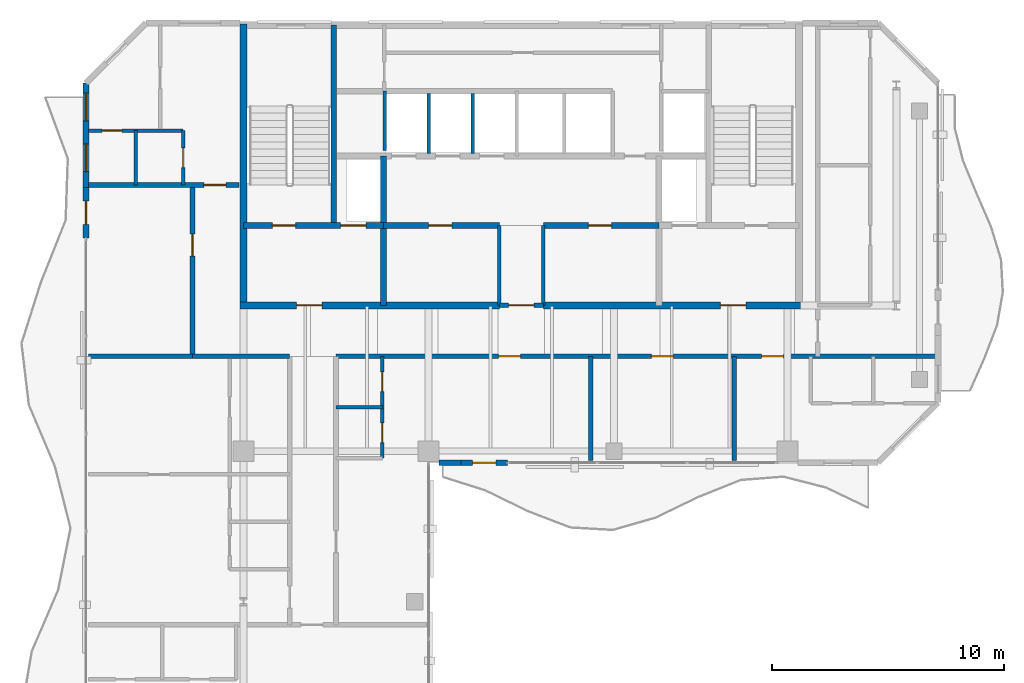
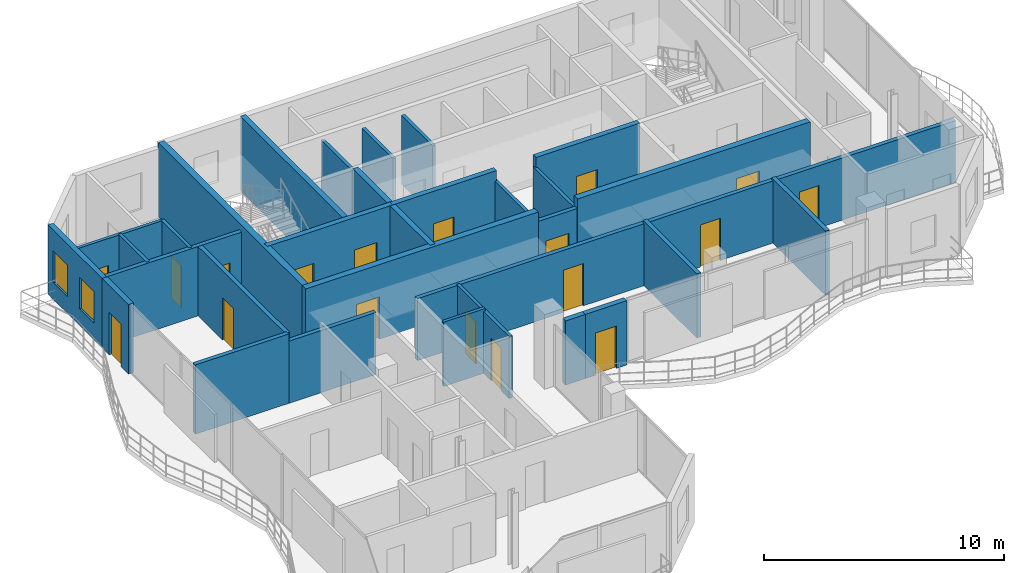
# One storey, part 13 of 17: 30 walls, 18 doors, 2 windows, 20 openings.
"""IFC4 building model written with IfcOpenShell, lengths in metres."""

from ifc_helpers import new_model, si_unit, direction, frame, frame_2d, origin, place, context, subcontext, project, spatial, rectangle, extrude, material, layer, layer_set, type_object, element, fill, save


model = new_model("IFC4")

# Units and contexts
model_context = context("Model", 3, precision=1e-05, world=origin(), true_north=direction((0.0, 1.0)))
body_context = subcontext(model_context, "Body", "Model", "MODEL_VIEW")
ifc_project = project(units=[si_unit("LENGTHUNIT", "METRE"), si_unit("AREAUNIT", "SQUARE_METRE"), si_unit("VOLUMEUNIT", "CUBIC_METRE"), si_unit("PLANEANGLEUNIT", "RADIAN"), si_unit("MASSUNIT", "GRAM", prefix="KILO")], contexts=[model_context])

# Site, building, storey
site_placement = place(None, origin())
site = spatial("IfcSite", under=ifc_project, at=site_placement, CompositionType="ELEMENT")
building_placement = place(site_placement, origin())
building = spatial("IfcBuilding", under=site, at=building_placement, Name="Catumbela Crestline Tower", CompositionType="ELEMENT")
storey_placement = place(building_placement, frame((0.0, 0.0, 267.8)))
storey = spatial("IfcBuildingStorey", under=building, at=storey_placement, Name="L69", CompositionType="ELEMENT", Elevation=267.8)

# Walls
ifc_material_1 = material(Name="Concrete C50/60", Category="concrete")
ifc_layer_1 = layer(ifc_material_1, 0.25, Name="Concrete C50/60")
ifc_layer_set_1 = layer_set([ifc_layer_1], Name="Concrete C50/60")
wall_type_1 = type_object("IfcWallType", Name="CW-250D", PredefinedType="SHEAR", material=ifc_layer_set_1)
wall_1_placement = place(storey_placement, frame((19.9, 34.25, 0.0), z_axis=(0.0, 0.0, 1.0), x_axis=(0.0, 1.0, 0.0)))
element("IfcWall", 1, at=wall_1_placement, inside=storey, type_object=wall_type_1, Name="L69 Structural Core Shear Wall WWEB", PredefinedType="SHEAR", context=body_context, shape_type="SweptSolid", body=[
    extrude(rectangle(XDim=8.65, YDim=0.25, at=frame_2d((4.325, 0.0))), origin(), (0.0, 0.0, 1.0), 3.8),
])
wall_2_placement = place(storey_placement, frame((22.05, 30.8, 0.0), z_axis=(0.0, 0.0, 1.0), x_axis=(0.0, 1.0, 0.0)))
element("IfcWall", 2, at=wall_2_placement, inside=storey, type_object=wall_type_1, Name="L69 Structural Core Shear Wall FFW", PredefinedType="SHEAR", context=body_context, shape_type="SweptSolid", body=[
    extrude(rectangle(XDim=6.45, YDim=0.25, at=frame_2d((3.225, 0.0))), origin(), (0.0, 0.0, 1.0), 3.8),
])

# Wall, openings, doors
wall_3_placement = place(storey_placement, frame((16.0, 34.25, 0.0), z_axis=(0.0, 0.0, 1.0), x_axis=(1.0, 0.0, 0.0)))
wall_3 = element("IfcWall", 3, at=wall_3_placement, inside=storey, type_object=wall_type_1, Name="L69 Structural Core Shear Wall ST1S", PredefinedType="SHEAR", context=body_context, shape_type="SweptSolid", body=[
    extrude(rectangle(XDim=6.05, YDim=0.25, at=frame_2d((3.025, 0.0))), origin(), (0.0, 0.0, 1.0), 3.8),
])
opening_1_placement = place(wall_3_placement, frame((1.25, 0.0, 0.0)))
opening_1 = element("IfcOpeningElement", 4, at=opening_1_placement, cuts=wall_3, Name="Opening DF9-100", PredefinedType="OPENING", context=body_context, shape_type="SweptSolid", body=[
    extrude(rectangle(XDim=1.0, YDim=2.15, at=frame_2d((0.5, 1.075))), frame((0.0, 0.135, 0.0), z_axis=(0.0, -1.0, 0.0), x_axis=(1.0, 0.0, 0.0)), (0.0, 0.0, 1.0), 0.27),
])
opening_2_placement = place(wall_3_placement, frame((4.2, 0.0, 0.0)))
opening_2 = element("IfcOpeningElement", 5, at=opening_2_placement, cuts=wall_3, Name="Opening LD-110", PredefinedType="OPENING", context=body_context, shape_type="SweptSolid", body=[
    extrude(rectangle(XDim=1.1, YDim=2.15, at=frame_2d((0.55, 1.075))), frame((0.0, 0.135, 0.0), z_axis=(0.0, -1.0, 0.0), x_axis=(1.0, 0.0, 0.0)), (0.0, 0.0, 1.0), 0.27),
])
ifc_material_2 = material(Name="Stainless steel EN 1.4401", Category="steel")
door_type_1 = type_object("IfcDoorType", Name="DF9-100", OperationType="NOTDEFINED", PredefinedType="DOOR", material=ifc_material_2)
door_1_placement = place(opening_1_placement, origin())
door_1 = element("IfcDoor", 6, at=door_1_placement, inside=storey, type_object=door_type_1, Name="L69 Interior Door DR-L69-ST01", OperationType="SINGLE_SWING_LEFT", OverallHeight=2.15, OverallWidth=1.0, PredefinedType="DOOR", context=body_context, shape_type="SweptSolid", body=[
    extrude(rectangle(XDim=1.0, YDim=2.15, at=frame_2d((0.5, 1.075))), frame((0.0, 0.025, 0.0), z_axis=(0.0, -1.0, 0.0), x_axis=(1.0, 0.0, 0.0)), (0.0, 0.0, 1.0), 0.05),
])
fill(opening_1, door_1)
door_type_2 = type_object("IfcDoorType", Name="LD-110", OperationType="NOTDEFINED", PredefinedType="DOOR", material=ifc_material_2)
door_2_placement = place(opening_2_placement, origin())
door_2 = element("IfcDoor", 7, at=door_2_placement, inside=storey, type_object=door_type_2, Name="L69 Lift Landing Sliding Door FL-01", OperationType="DOUBLE_DOOR_SLIDING", OverallHeight=2.15, OverallWidth=1.1, PredefinedType="DOOR", context=body_context, shape_type="SweptSolid", body=[
    extrude(rectangle(XDim=1.1, YDim=2.15, at=frame_2d((0.55, 1.075))), frame((0.0, 0.025, 0.0), z_axis=(0.0, -1.0, 0.0), x_axis=(1.0, 0.0, 0.0)), (0.0, 0.0, 1.0), 0.05),
])
fill(opening_2, door_2)

# Wall, opening, door
wall_4_placement = place(storey_placement, frame((22.05, 34.25, 0.0), z_axis=(0.0, 0.0, 1.0), x_axis=(1.0, 0.0, 0.0)))
wall_4 = element("IfcWall", 8, at=wall_4_placement, inside=storey, type_object=wall_type_1, Name="L69 Structural Core Shear Wall LIFTS-W", PredefinedType="SHEAR", context=body_context, shape_type="SweptSolid", body=[
    extrude(rectangle(XDim=5.0, YDim=0.25, at=frame_2d((2.5, 0.0))), origin(), (0.0, 0.0, 1.0), 3.8),
])
opening_3_placement = place(wall_4_placement, frame((1.95, 0.0, 0.0)))
opening_3 = element("IfcOpeningElement", 9, at=opening_3_placement, cuts=wall_4, Name="Opening DF9-100", PredefinedType="OPENING", context=body_context, shape_type="SweptSolid", body=[
    extrude(rectangle(XDim=1.0, YDim=2.15, at=frame_2d((0.5, 1.075))), frame((0.0, 0.135, 0.0), z_axis=(0.0, -1.0, 0.0), x_axis=(1.0, 0.0, 0.0)), (0.0, 0.0, 1.0), 0.27),
])
door_3_placement = place(opening_3_placement, origin())
door_3 = element("IfcDoor", 10, at=door_3_placement, inside=storey, type_object=door_type_1, Name="L69 Interior Door DR-L69-RECL1", OperationType="SINGLE_SWING_LEFT", OverallHeight=2.15, OverallWidth=1.0, PredefinedType="DOOR", context=body_context, shape_type="SweptSolid", body=[
    extrude(rectangle(XDim=1.0, YDim=2.15, at=frame_2d((0.5, 1.075))), frame((0.0, 0.025, 0.0), z_axis=(0.0, -1.0, 0.0), x_axis=(1.0, 0.0, 0.0)), (0.0, 0.0, 1.0), 0.05),
])
fill(opening_3, door_3)

wall_5_placement = place(storey_placement, frame((28.95, 34.25, 0.0), z_axis=(0.0, 0.0, 1.0), x_axis=(1.0, 0.0, 0.0)))
wall_5 = element("IfcWall", 11, at=wall_5_placement, inside=storey, type_object=wall_type_1, Name="L69 Structural Core Shear Wall LIFTS-E", PredefinedType="SHEAR", context=body_context, shape_type="SweptSolid", body=[
    extrude(rectangle(XDim=5.0, YDim=0.25, at=frame_2d((2.5, 0.0))), origin(), (0.0, 0.0, 1.0), 3.8),
])
opening_4_placement = place(wall_5_placement, frame((1.95, 0.0, 0.0)))
opening_4 = element("IfcOpeningElement", 12, at=opening_4_placement, cuts=wall_5, Name="Opening DF9-100", PredefinedType="OPENING", context=body_context, shape_type="SweptSolid", body=[
    extrude(rectangle(XDim=1.0, YDim=2.15, at=frame_2d((0.5, 1.075))), frame((0.0, 0.135, 0.0), z_axis=(0.0, -1.0, 0.0), x_axis=(1.0, 0.0, 0.0)), (0.0, 0.0, 1.0), 0.27),
])
door_4_placement = place(opening_4_placement, origin())
door_4 = element("IfcDoor", 13, at=door_4_placement, inside=storey, type_object=door_type_1, Name="L69 Interior Door DR-L69-RECL2", OperationType="SINGLE_SWING_RIGHT", OverallHeight=2.15, OverallWidth=1.0, PredefinedType="DOOR", context=body_context, shape_type="SweptSolid", body=[
    extrude(rectangle(XDim=1.0, YDim=2.15, at=frame_2d((0.5, 1.075))), frame((0.0, 0.025, 0.0), z_axis=(0.0, -1.0, 0.0), x_axis=(1.0, 0.0, 0.0)), (0.0, 0.0, 1.0), 0.05),
])
fill(opening_4, door_4)

# Wall
ifc_material_3 = material(Name="Concrete C45/55", Category="concrete")
ifc_layer_2 = layer(ifc_material_3, 0.3, Name="Concrete C45/55")
ifc_layer_set_2 = layer_set([ifc_layer_2], Name="Concrete C45/55")
wall_type_2 = type_object("IfcWallType", Name="CW-300C", PredefinedType="SHEAR", material=ifc_layer_set_2)
wall_6_placement = place(storey_placement, frame((16.0, 30.65, 0.0), z_axis=(0.0, 0.0, 1.0), x_axis=(0.0, 1.0, 0.0)))
element("IfcWall", 14, at=wall_6_placement, inside=storey, type_object=wall_type_2, Name="L69 Structural Core Shear Wall W", PredefinedType="SHEAR", context=body_context, shape_type="SweptSolid", body=[
    extrude(rectangle(XDim=12.3, YDim=0.3, at=frame_2d((6.15, 0.0))), origin(), (0.0, 0.0, 1.0), 3.8),
])

# Wall, opening, door
wall_7_placement = place(storey_placement, frame((15.85, 30.8, 0.0), z_axis=(0.0, 0.0, 1.0), x_axis=(1.0, 0.0, 0.0)))
wall_7 = element("IfcWall", 15, at=wall_7_placement, inside=storey, type_object=wall_type_2, Name="L69 Structural Core Shear Wall SW", PredefinedType="SHEAR", context=body_context, shape_type="SweptSolid", body=[
    extrude(rectangle(XDim=11.2, YDim=0.3, at=frame_2d((5.6, 0.0))), origin(), (0.0, 0.0, 1.0), 3.8),
])
opening_5_placement = place(wall_7_placement, frame((2.45, 0.0, 0.0)))
opening_5 = element("IfcOpeningElement", 16, at=opening_5_placement, cuts=wall_7, Name="Opening DF9-110", PredefinedType="OPENING", context=body_context, shape_type="SweptSolid", body=[
    extrude(rectangle(XDim=1.1, YDim=2.15, at=frame_2d((0.55, 1.075))), frame((0.0, 0.16, 0.0), z_axis=(0.0, -1.0, 0.0), x_axis=(1.0, 0.0, 0.0)), (0.0, 0.0, 1.0), 0.32),
])
door_type_3 = type_object("IfcDoorType", Name="DF9-110", OperationType="NOTDEFINED", PredefinedType="DOOR", material=ifc_material_2)
door_5_placement = place(opening_5_placement, origin())
door_5 = element("IfcDoor", 17, at=door_5_placement, inside=storey, type_object=door_type_3, Name="L69 Interior Door DR-L69-FFW-S", OperationType="SINGLE_SWING_LEFT", OverallHeight=2.15, OverallWidth=1.1, PredefinedType="DOOR", context=body_context, shape_type="SweptSolid", body=[
    extrude(rectangle(XDim=1.1, YDim=2.15, at=frame_2d((0.55, 1.075))), frame((0.0, 0.025, 0.0), z_axis=(0.0, -1.0, 0.0), x_axis=(1.0, 0.0, 0.0)), (0.0, 0.0, 1.0), 0.05),
])
fill(opening_5, door_5)

wall_8_placement = place(storey_placement, frame((28.95, 30.8, 0.0), z_axis=(0.0, 0.0, 1.0), x_axis=(1.0, 0.0, 0.0)))
wall_8 = element("IfcWall", 18, at=wall_8_placement, inside=storey, type_object=wall_type_2, Name="L69 Structural Core Shear Wall SE", PredefinedType="SHEAR", context=body_context, shape_type="SweptSolid", body=[
    extrude(rectangle(XDim=11.2, YDim=0.3, at=frame_2d((5.6, 0.0))), origin(), (0.0, 0.0, 1.0), 3.8),
])
opening_6_placement = place(wall_8_placement, frame((7.65, 0.0, 0.0)))
opening_6 = element("IfcOpeningElement", 19, at=opening_6_placement, cuts=wall_8, Name="Opening DF9-110", PredefinedType="OPENING", context=body_context, shape_type="SweptSolid", body=[
    extrude(rectangle(XDim=1.1, YDim=2.15, at=frame_2d((0.55, 1.075))), frame((0.0, 0.16, 0.0), z_axis=(0.0, -1.0, 0.0), x_axis=(1.0, 0.0, 0.0)), (0.0, 0.0, 1.0), 0.32),
])
door_6_placement = place(opening_6_placement, origin())
door_6 = element("IfcDoor", 20, at=door_6_placement, inside=storey, type_object=door_type_3, Name="L69 Interior Door DR-L69-FFE-S", OperationType="SINGLE_SWING_RIGHT", OverallHeight=2.15, OverallWidth=1.1, PredefinedType="DOOR", context=body_context, shape_type="SweptSolid", body=[
    extrude(rectangle(XDim=1.1, YDim=2.15, at=frame_2d((0.55, 1.075))), frame((0.0, 0.025, 0.0), z_axis=(0.0, -1.0, 0.0), x_axis=(1.0, 0.0, 0.0)), (0.0, 0.0, 1.0), 0.05),
])
fill(opening_6, door_6)

ifc_material_4 = material(Name="Acoustic gypsum and mineral-wool partition")
ifc_layer_3 = layer(ifc_material_4, 0.2, Name="Acoustic gypsum and mineral-wool partition")
ifc_layer_set_3 = layer_set([ifc_layer_3], Name="Acoustic gypsum and mineral-wool partition")
wall_type_3 = type_object("IfcWallType", Name="WC-200", PredefinedType="PARTITIONING", material=ifc_layer_set_3)
wall_9_placement = place(storey_placement, frame((27.05, 30.8, 0.0), z_axis=(0.0, 0.0, 1.0), x_axis=(1.0, 0.0, 0.0)))
wall_9 = element("IfcWall", 21, at=wall_9_placement, inside=storey, type_object=wall_type_3, Name="L69 Interior Partition PW-L69-CLOBS", PredefinedType="PARTITIONING", context=body_context, shape_type="SweptSolid", body=[
    extrude(rectangle(XDim=1.9, YDim=0.2, at=frame_2d((0.95, 0.0))), origin(), (0.0, 0.0, 1.0), 3.28),
])
opening_7_placement = place(wall_9_placement, frame((0.4, 0.0, 0.0)))
opening_7 = element("IfcOpeningElement", 22, at=opening_7_placement, cuts=wall_9, Name="Opening DF9-110", PredefinedType="OPENING", context=body_context, shape_type="SweptSolid", body=[
    extrude(rectangle(XDim=1.1, YDim=2.15, at=frame_2d((0.55, 1.075))), frame((0.0, 0.11, 0.0), z_axis=(0.0, -1.0, 0.0), x_axis=(1.0, 0.0, 0.0)), (0.0, 0.0, 1.0), 0.22),
])
door_7_placement = place(opening_7_placement, origin())
door_7 = element("IfcDoor", 23, at=door_7_placement, inside=storey, type_object=door_type_3, Name="L69 Interior Door DR-L69-CLOBS", OperationType="SINGLE_SWING_LEFT", OverallHeight=2.15, OverallWidth=1.1, PredefinedType="DOOR", context=body_context, shape_type="SweptSolid", body=[
    extrude(rectangle(XDim=1.1, YDim=2.15, at=frame_2d((0.55, 1.075))), frame((0.0, 0.025, 0.0), z_axis=(0.0, -1.0, 0.0), x_axis=(1.0, 0.0, 0.0)), (0.0, 0.0, 1.0), 0.05),
])
fill(opening_7, door_7)

# Wall
wall_10_placement = place(storey_placement, frame((13.8, 28.6, 0.0), z_axis=(0.0, 0.0, 1.0), x_axis=(1.0, 0.0, 0.0)))
element("IfcWall", 24, at=wall_10_placement, inside=storey, type_object=wall_type_3, Name="L69 Interior Partition PW-L69-RCWL", PredefinedType="PARTITIONING", context=body_context, shape_type="SweptSolid", body=[
    extrude(rectangle(XDim=4.2, YDim=0.2, at=frame_2d((2.1, 0.0))), origin(), (0.0, 0.0, 1.0), 3.16),
])

# Wall, openings, doors
wall_11_placement = place(storey_placement, frame((20.0, 28.6, 0.0), z_axis=(0.0, 0.0, 1.0), x_axis=(1.0, 0.0, 0.0)))
wall_11 = element("IfcWall", 25, at=wall_11_placement, inside=storey, type_object=wall_type_3, Name="L69 Interior Partition PW-L69-RCWR", PredefinedType="PARTITIONING", context=body_context, shape_type="SweptSolid", body=[
    extrude(rectangle(XDim=25.9, YDim=0.2, at=frame_2d((12.95, 0.0))), origin(), (0.0, 0.0, 1.0), 3.16),
])
opening_8_placement = place(wall_11_placement, frame((7.025, 0.0, 0.0)))
opening_8 = element("IfcOpeningElement", 26, at=opening_8_placement, cuts=wall_11, Name="Opening DF6-095", PredefinedType="OPENING", context=body_context, shape_type="SweptSolid", body=[
    extrude(rectangle(XDim=0.95, YDim=2.15, at=frame_2d((0.475, 1.075))), frame((0.0, 0.11, 0.0), z_axis=(0.0, -1.0, 0.0), x_axis=(1.0, 0.0, 0.0)), (0.0, 0.0, 1.0), 0.22),
])
opening_9_placement = place(wall_11_placement, frame((13.625, 0.0, 0.0)))
opening_9 = element("IfcOpeningElement", 27, at=opening_9_placement, cuts=wall_11, Name="Opening DF6-095", PredefinedType="OPENING", context=body_context, shape_type="SweptSolid", body=[
    extrude(rectangle(XDim=0.95, YDim=2.15, at=frame_2d((0.475, 1.075))), frame((0.0, 0.11, 0.0), z_axis=(0.0, -1.0, 0.0), x_axis=(1.0, 0.0, 0.0)), (0.0, 0.0, 1.0), 0.22),
])
opening_10_placement = place(wall_11_placement, frame((18.378, 0.0, 0.0)))
opening_10 = element("IfcOpeningElement", 28, at=opening_10_placement, cuts=wall_11, Name="Opening DF6-095", PredefinedType="OPENING", context=body_context, shape_type="SweptSolid", body=[
    extrude(rectangle(XDim=0.95, YDim=2.15, at=frame_2d((0.475, 1.075))), frame((0.0, 0.11, 0.0), z_axis=(0.0, -1.0, 0.0), x_axis=(1.0, 0.0, 0.0)), (0.0, 0.0, 1.0), 0.22),
])
ifc_material_5 = material(Name="Aluminium alloy AW-6060-T66", Category="aluminium")
door_type_4 = type_object("IfcDoorType", Name="DF6-095", OperationType="NOTDEFINED", PredefinedType="DOOR", material=ifc_material_5)
door_8_placement = place(opening_8_placement, origin())
door_8 = element("IfcDoor", 29, at=door_8_placement, inside=storey, type_object=door_type_4, Name="L69 Interior Door DR-L69-Z4G41-ENT", OperationType="SINGLE_SWING_LEFT", OverallHeight=2.15, OverallWidth=0.95, PredefinedType="DOOR", context=body_context, shape_type="SweptSolid", body=[
    extrude(rectangle(XDim=0.95, YDim=2.15, at=frame_2d((0.475, 1.075))), frame((0.0, 0.025, 0.0), z_axis=(0.0, -1.0, 0.0), x_axis=(1.0, 0.0, 0.0)), (0.0, 0.0, 1.0), 0.05),
])
fill(opening_8, door_8)
door_9_placement = place(opening_9_placement, origin())
door_9 = element("IfcDoor", 30, at=door_9_placement, inside=storey, type_object=door_type_4, Name="L69 Interior Door DR-L69-Z4G42-ENT", OperationType="SINGLE_SWING_RIGHT", OverallHeight=2.15, OverallWidth=0.95, PredefinedType="DOOR", context=body_context, shape_type="SweptSolid", body=[
    extrude(rectangle(XDim=0.95, YDim=2.15, at=frame_2d((0.475, 1.075))), frame((0.0, 0.025, 0.0), z_axis=(0.0, -1.0, 0.0), x_axis=(1.0, 0.0, 0.0)), (0.0, 0.0, 1.0), 0.05),
])
fill(opening_9, door_9)
door_10_placement = place(opening_10_placement, origin())
door_10 = element("IfcDoor", 31, at=door_10_placement, inside=storey, type_object=door_type_4, Name="L69 Interior Door DR-L69-S3-ENT", OperationType="SINGLE_SWING_LEFT", OverallHeight=2.15, OverallWidth=0.95, PredefinedType="DOOR", context=body_context, shape_type="SweptSolid", body=[
    extrude(rectangle(XDim=0.95, YDim=2.15, at=frame_2d((0.475, 1.075))), frame((0.0, 0.025, 0.0), z_axis=(0.0, -1.0, 0.0), x_axis=(1.0, 0.0, 0.0)), (0.0, 0.0, 1.0), 0.05),
])
fill(opening_10, door_10)

# Wall, opening, door
wall_12_placement = place(storey_placement, frame((13.8, 28.6, 0.0), z_axis=(0.0, 0.0, 1.0), x_axis=(0.0, 1.0, 0.0)))
wall_12 = element("IfcWall", 32, at=wall_12_placement, inside=storey, type_object=wall_type_3, Name="L69 Interior Partition PW-L69-NWAM-ENT", PredefinedType="PARTITIONING", context=body_context, shape_type="SweptSolid", body=[
    extrude(rectangle(XDim=7.4, YDim=0.2, at=frame_2d((3.7, 0.0))), origin(), (0.0, 0.0, 1.0), 3.53),
])
opening_11_placement = place(wall_12_placement, frame((4.325, 0.0, 0.0)))
opening_11 = element("IfcOpeningElement", 33, at=opening_11_placement, cuts=wall_12, Name="Opening DF6-095", PredefinedType="OPENING", context=body_context, shape_type="SweptSolid", body=[
    extrude(rectangle(XDim=0.95, YDim=2.15, at=frame_2d((0.475, 1.075))), frame((0.0, 0.11, 0.0), z_axis=(0.0, -1.0, 0.0), x_axis=(1.0, 0.0, 0.0)), (0.0, 0.0, 1.0), 0.22),
])
door_11_placement = place(opening_11_placement, origin())
door_11 = element("IfcDoor", 34, at=door_11_placement, inside=storey, type_object=door_type_4, Name="L69 Interior Door DR-L69-NWAM-ENT", OperationType="SINGLE_SWING_RIGHT", OverallHeight=2.15, OverallWidth=0.95, PredefinedType="DOOR", context=body_context, shape_type="SweptSolid", body=[
    extrude(rectangle(XDim=0.95, YDim=2.15, at=frame_2d((0.475, 1.075))), frame((0.0, 0.025, 0.0), z_axis=(0.0, -1.0, 0.0), x_axis=(1.0, 0.0, 0.0)), (0.0, 0.0, 1.0), 0.05),
])
fill(opening_11, door_11)

wall_13_placement = place(storey_placement, frame((9.3, 36.0, 0.0), z_axis=(0.0, 0.0, 1.0), x_axis=(1.0, 0.0, 0.0)))
wall_13 = element("IfcWall", 35, at=wall_13_placement, inside=storey, type_object=wall_type_3, Name="L69 Interior Partition PW-L69-NW1-ENT", PredefinedType="PARTITIONING", context=body_context, shape_type="SweptSolid", body=[
    extrude(rectangle(XDim=6.5, YDim=0.2, at=frame_2d((3.25, 0.0))), origin(), (0.0, 0.0, 1.0), 3.53),
])
opening_12_placement = place(wall_13_placement, frame((4.995, 0.0, 0.0)))
opening_12 = element("IfcOpeningElement", 36, at=opening_12_placement, cuts=wall_13, Name="Opening DF6-095", PredefinedType="OPENING", context=body_context, shape_type="SweptSolid", body=[
    extrude(rectangle(XDim=0.95, YDim=2.15, at=frame_2d((0.475, 1.075))), frame((0.0, 0.11, 0.0), z_axis=(0.0, -1.0, 0.0), x_axis=(1.0, 0.0, 0.0)), (0.0, 0.0, 1.0), 0.22),
])
door_12_placement = place(opening_12_placement, origin())
door_12 = element("IfcDoor", 37, at=door_12_placement, inside=storey, type_object=door_type_4, Name="L69 Interior Door DR-L69-NW1-ENT", OperationType="SINGLE_SWING_LEFT", OverallHeight=2.15, OverallWidth=0.95, PredefinedType="DOOR", context=body_context, shape_type="SweptSolid", body=[
    extrude(rectangle(XDim=0.95, YDim=2.15, at=frame_2d((0.475, 1.075))), frame((0.0, 0.025, 0.0), z_axis=(0.0, -1.0, 0.0), x_axis=(1.0, 0.0, 0.0)), (0.0, 0.0, 1.0), 0.05),
])
fill(opening_12, door_12)

ifc_material_6 = material(Name="Angolan grey-ochre granite", Category="masonry")
ifc_layer_4 = layer(ifc_material_6, 0.25, Name="Angolan grey-ochre granite")
ifc_layer_set_4 = layer_set([ifc_layer_4], Name="Angolan grey-ochre granite")
wall_type_4 = type_object("IfcWallType", Name="WE-250", PredefinedType="STANDARD", material=ifc_layer_set_4)
wall_14_placement = place(storey_placement, frame((25.4, 24.0, 0.0), z_axis=(0.0, 0.0, 1.0), x_axis=(1.0, 0.0, 0.0)))
wall_14 = element("IfcWall", 38, at=wall_14_placement, inside=storey, type_object=wall_type_4, Name="L69 Exterior Threshold Portal Wall DR-L69-WBAL-1", PredefinedType="STANDARD", context=body_context, shape_type="SweptSolid", body=[
    extrude(rectangle(XDim=2.0, YDim=0.25, at=frame_2d((1.0, 0.0))), origin(), (0.0, 0.0, 1.0), 3.27),
])
opening_13_placement = place(wall_14_placement, frame((0.5, 0.0, 0.0)))
opening_13 = element("IfcOpeningElement", 39, at=opening_13_placement, cuts=wall_14, Name="Opening DB-L69-1", PredefinedType="OPENING", context=body_context, shape_type="SweptSolid", body=[
    extrude(rectangle(XDim=1.0, YDim=2.15, at=frame_2d((0.5, 1.075))), frame((0.0, 0.135, 0.0), z_axis=(0.0, -1.0, 0.0), x_axis=(1.0, 0.0, 0.0)), (0.0, 0.0, 1.0), 0.27),
])
door_type_5 = type_object("IfcDoorType", Name="DB-1000", OperationType="NOTDEFINED", PredefinedType="DOOR", material=ifc_material_5)
door_13_placement = place(opening_13_placement, origin())
door_13 = element("IfcDoor", 40, at=door_13_placement, inside=storey, type_object=door_type_5, Name="L69 Wave Balcony Terrace Door 1", OperationType="SINGLE_SWING_LEFT", OverallHeight=2.15, OverallWidth=1.0, PredefinedType="DOOR", context=body_context, shape_type="SweptSolid", body=[
    extrude(rectangle(XDim=1.0, YDim=2.15, at=frame_2d((0.5, 1.075))), frame((0.0, 0.025, 0.0), z_axis=(0.0, -1.0, 0.0), x_axis=(1.0, 0.0, 0.0)), (0.0, 0.0, 1.0), 0.05),
])
fill(opening_13, door_13)

# Wall
wall_15_placement = place(storey_placement, frame((24.45, 24.0, 0.0), z_axis=(0.0, 0.0, 1.0), x_axis=(1.0, 0.0, 0.0)))
element("IfcWall", 41, at=wall_15_placement, inside=storey, type_object=wall_type_4, Name="L69 Granite Punched Window Wall 3-1", PredefinedType="STANDARD", context=body_context, shape_type="SweptSolid", body=[
    extrude(rectangle(XDim=0.95, YDim=0.25, at=frame_2d((0.475, 0.0))), origin(), (0.0, 0.0, 1.0), 3.27),
])

# Wall, opening, door
wall_16_placement = place(storey_placement, frame((9.2, 35.9, 0.0), z_axis=(0.0, 0.0, 1.0), x_axis=(0.0, -1.0, 0.0)))
wall_16 = element("IfcWall", 42, at=wall_16_placement, inside=storey, type_object=wall_type_4, Name="L69 Exterior Threshold Portal Wall DR-L69-WBAL-4", PredefinedType="STANDARD", context=body_context, shape_type="SweptSolid", body=[
    extrude(rectangle(XDim=2.2, YDim=0.25, at=frame_2d((1.1, 0.0))), origin(), (0.0, 0.0, 1.0), 3.53),
])
opening_14_placement = place(wall_16_placement, frame((0.6, 0.0, 0.0)))
opening_14 = element("IfcOpeningElement", 43, at=opening_14_placement, cuts=wall_16, Name="Opening DB-L69-4", PredefinedType="OPENING", context=body_context, shape_type="SweptSolid", body=[
    extrude(rectangle(XDim=1.0, YDim=2.15, at=frame_2d((0.5, 1.075))), frame((0.0, 0.135, 0.0), z_axis=(0.0, -1.0, 0.0), x_axis=(1.0, 0.0, 0.0)), (0.0, 0.0, 1.0), 0.27),
])
door_14_placement = place(opening_14_placement, origin())
door_14 = element("IfcDoor", 44, at=door_14_placement, inside=storey, type_object=door_type_5, Name="L69 Wave Balcony Terrace Door 4", OperationType="SINGLE_SWING_RIGHT", OverallHeight=2.15, OverallWidth=1.0, PredefinedType="DOOR", context=body_context, shape_type="SweptSolid", body=[
    extrude(rectangle(XDim=1.0, YDim=2.15, at=frame_2d((0.5, 1.075))), frame((0.0, 0.025, 0.0), z_axis=(0.0, -1.0, 0.0), x_axis=(1.0, 0.0, 0.0)), (0.0, 0.0, 1.0), 0.05),
])
fill(opening_14, door_14)

# Wall, openings, windows
wall_17_placement = place(storey_placement, frame((9.2, 40.4, 0.0), z_axis=(0.0, 0.0, 1.0), x_axis=(0.0, -1.0, 0.0)))
wall_17 = element("IfcWall", 45, at=wall_17_placement, inside=storey, type_object=wall_type_4, Name="L69 Granite Punched Window Wall 9-1", PredefinedType="STANDARD", context=body_context, shape_type="SweptSolid", body=[
    extrude(rectangle(XDim=4.5, YDim=0.25, at=frame_2d((2.25, 0.0))), origin(), (0.0, 0.0, 1.0), 3.53),
])
opening_15_placement = place(wall_17_placement, frame((0.435, 0.0, 0.85)))
opening_15 = element("IfcOpeningElement", 46, at=opening_15_placement, cuts=wall_17, Name="Opening WN-02", PredefinedType="OPENING", context=body_context, shape_type="SweptSolid", body=[
    extrude(rectangle(XDim=1.2, YDim=1.6, at=frame_2d((0.6, 0.8))), frame((0.0, 0.135, 0.0), z_axis=(0.0, -1.0, 0.0), x_axis=(1.0, 0.0, 0.0)), (0.0, 0.0, 1.0), 0.27),
])
opening_16_placement = place(wall_17_placement, frame((2.625, 0.0, 0.85)))
opening_16 = element("IfcOpeningElement", 47, at=opening_16_placement, cuts=wall_17, Name="Opening WN-02", PredefinedType="OPENING", context=body_context, shape_type="SweptSolid", body=[
    extrude(rectangle(XDim=1.2, YDim=1.6, at=frame_2d((0.6, 0.8))), frame((0.0, 0.135, 0.0), z_axis=(0.0, -1.0, 0.0), x_axis=(1.0, 0.0, 0.0)), (0.0, 0.0, 1.0), 0.27),
])
ifc_material_7 = material(Name="Low-E laminated solar-control double glazing", Category="glass")
window_type = type_object("IfcWindowType", Name="WO-1200", PartitioningType="SINGLE_PANEL", PredefinedType="WINDOW", material=ifc_material_7)
window_1_placement = place(opening_15_placement, origin())
window_1 = element("IfcWindow", 48, at=window_1_placement, inside=storey, type_object=window_type, Name="L69 Facade Vision Window 549", OverallHeight=1.6, OverallWidth=1.2, PartitioningType="SINGLE_PANEL", PredefinedType="WINDOW", context=body_context, shape_type="SweptSolid", body=[
    extrude(rectangle(XDim=1.2, YDim=1.6, at=frame_2d((0.6, 0.8))), frame((0.0, 0.03, 0.0), z_axis=(0.0, -1.0, 0.0), x_axis=(1.0, 0.0, 0.0)), (0.0, 0.0, 1.0), 0.06),
])
fill(opening_15, window_1)
window_2_placement = place(opening_16_placement, origin())
window_2 = element("IfcWindow", 49, at=window_2_placement, inside=storey, type_object=window_type, Name="L69 Facade Vision Window 550", OverallHeight=1.6, OverallWidth=1.2, PartitioningType="SINGLE_PANEL", PredefinedType="WINDOW", context=body_context, shape_type="SweptSolid", body=[
    extrude(rectangle(XDim=1.2, YDim=1.6, at=frame_2d((0.6, 0.8))), frame((0.0, 0.03, 0.0), z_axis=(0.0, -1.0, 0.0), x_axis=(1.0, 0.0, 0.0)), (0.0, 0.0, 1.0), 0.06),
])
fill(opening_16, window_2)

# Wall, opening, door
ifc_layer_5 = layer(ifc_material_4, 0.15, Name="Acoustic gypsum and mineral-wool partition")
ifc_layer_set_5 = layer_set([ifc_layer_5], Name="Acoustic gypsum and mineral-wool partition")
wall_type_5 = type_object("IfcWallType", Name="WP-150", PredefinedType="PARTITIONING", material=ifc_layer_set_5)
wall_18_placement = place(storey_placement, frame((13.4, 36.0, 0.0), z_axis=(0.0, 0.0, 1.0), x_axis=(0.0, 1.0, 0.0)))
wall_18 = element("IfcWall", 50, at=wall_18_placement, inside=storey, type_object=wall_type_5, Name="L69 Interior Partition PW-L69-NW1-KBE", PredefinedType="PARTITIONING", context=body_context, shape_type="SweptSolid", body=[
    extrude(rectangle(XDim=2.35, YDim=0.15, at=frame_2d((1.175, 0.0))), origin(), (0.0, 0.0, 1.0), 3.53),
])
opening_17_placement = place(wall_18_placement, frame((0.75, 0.0, 0.0)))
opening_17 = element("IfcOpeningElement", 51, at=opening_17_placement, cuts=wall_18, Name="Opening DI-085", PredefinedType="OPENING", context=body_context, shape_type="SweptSolid", body=[
    extrude(rectangle(XDim=0.85, YDim=2.15, at=frame_2d((0.425, 1.075))), frame((0.0, 0.085, 0.0), z_axis=(0.0, -1.0, 0.0), x_axis=(1.0, 0.0, 0.0)), (0.0, 0.0, 1.0), 0.17),
])
door_type_6 = type_object("IfcDoorType", Name="DI-085", OperationType="NOTDEFINED", PredefinedType="DOOR", material=ifc_material_5)
door_15_placement = place(opening_17_placement, origin())
door_15 = element("IfcDoor", 52, at=door_15_placement, inside=storey, type_object=door_type_6, Name="L69 Interior Door DR-L69-NW1-BTH", OperationType="SINGLE_SWING_LEFT", OverallHeight=2.15, OverallWidth=0.85, PredefinedType="DOOR", context=body_context, shape_type="SweptSolid", body=[
    extrude(rectangle(XDim=0.85, YDim=2.15, at=frame_2d((0.425, 1.075))), frame((0.0, 0.025, 0.0), z_axis=(0.0, -1.0, 0.0), x_axis=(1.0, 0.0, 0.0)), (0.0, 0.0, 1.0), 0.05),
])
fill(opening_17, door_15)

# Wall
wall_19_placement = place(storey_placement, frame((11.35, 36.0, 0.0), z_axis=(0.0, 0.0, 1.0), x_axis=(0.0, 1.0, 0.0)))
element("IfcWall", 53, at=wall_19_placement, inside=storey, type_object=wall_type_5, Name="L69 Interior Partition PW-L69-NW1-KBM", PredefinedType="PARTITIONING", context=body_context, shape_type="SweptSolid", body=[
    extrude(rectangle(XDim=2.35, YDim=0.15, at=frame_2d((1.175, 0.0))), origin(), (0.0, 0.0, 1.0), 3.53),
])

# Wall, opening, door
wall_20_placement = place(storey_placement, frame((9.3, 38.35, 0.0), z_axis=(0.0, 0.0, 1.0), x_axis=(1.0, 0.0, 0.0)))
wall_20 = element("IfcWall", 54, at=wall_20_placement, inside=storey, type_object=wall_type_5, Name="L69 Interior Partition PW-L69-NW1-KBD1", PredefinedType="PARTITIONING", context=body_context, shape_type="SweptSolid", body=[
    extrude(rectangle(XDim=4.1, YDim=0.15, at=frame_2d((2.05, 0.0))), origin(), (0.0, 0.0, 1.0), 3.53),
])
opening_18_placement = place(wall_20_placement, frame((0.6, 0.0, 0.0)))
opening_18 = element("IfcOpeningElement", 55, at=opening_18_placement, cuts=wall_20, Name="Opening DI-085", PredefinedType="OPENING", context=body_context, shape_type="SweptSolid", body=[
    extrude(rectangle(XDim=0.85, YDim=2.15, at=frame_2d((0.425, 1.075))), frame((0.0, 0.085, 0.0), z_axis=(0.0, -1.0, 0.0), x_axis=(1.0, 0.0, 0.0)), (0.0, 0.0, 1.0), 0.17),
])
door_16_placement = place(opening_18_placement, origin())
door_16 = element("IfcDoor", 56, at=door_16_placement, inside=storey, type_object=door_type_6, Name="L69 Interior Door DR-L69-NW1-KIT", OperationType="SINGLE_SWING_LEFT", OverallHeight=2.15, OverallWidth=0.85, PredefinedType="DOOR", context=body_context, shape_type="SweptSolid", body=[
    extrude(rectangle(XDim=0.85, YDim=2.15, at=frame_2d((0.425, 1.075))), frame((0.0, 0.025, 0.0), z_axis=(0.0, -1.0, 0.0), x_axis=(1.0, 0.0, 0.0)), (0.0, 0.0, 1.0), 0.05),
])
fill(opening_18, door_16)

# Wall
wall_21_placement = place(storey_placement, frame((20.0, 26.4, 0.0), z_axis=(0.0, 0.0, 1.0), x_axis=(1.0, 0.0, 0.0)))
element("IfcWall", 57, at=wall_21_placement, inside=storey, type_object=wall_type_5, Name="L69 Interior Partition PW-L69-WR1-KBM", PredefinedType="PARTITIONING", context=body_context, shape_type="SweptSolid", body=[
    extrude(rectangle(XDim=2.0, YDim=0.15, at=frame_2d((1.0, 0.0))), origin(), (0.0, 0.0, 1.0), 3.28),
])

# Wall, openings, doors
wall_22_placement = place(storey_placement, frame((22.0, 24.2, 0.0), z_axis=(0.0, 0.0, 1.0), x_axis=(0.0, 1.0, 0.0)))
wall_22 = element("IfcWall", 58, at=wall_22_placement, inside=storey, type_object=wall_type_5, Name="L69 Interior Partition PW-L69-WR1-SK1", PredefinedType="PARTITIONING", context=body_context, shape_type="SweptSolid", body=[
    extrude(rectangle(XDim=4.4, YDim=0.15, at=frame_2d((2.2, 0.0))), origin(), (0.0, 0.0, 1.0), 3.16),
])
opening_19_placement = place(wall_22_placement, frame((0.675, 0.0, 0.0)))
opening_19 = element("IfcOpeningElement", 59, at=opening_19_placement, cuts=wall_22, Name="Opening DI-085", PredefinedType="OPENING", context=body_context, shape_type="SweptSolid", body=[
    extrude(rectangle(XDim=0.85, YDim=2.15, at=frame_2d((0.425, 1.075))), frame((0.0, 0.085, 0.0), z_axis=(0.0, -1.0, 0.0), x_axis=(1.0, 0.0, 0.0)), (0.0, 0.0, 1.0), 0.17),
])
opening_20_placement = place(wall_22_placement, frame((2.875, 0.0, 0.0)))
opening_20 = element("IfcOpeningElement", 60, at=opening_20_placement, cuts=wall_22, Name="Opening DI-085", PredefinedType="OPENING", context=body_context, shape_type="SweptSolid", body=[
    extrude(rectangle(XDim=0.85, YDim=2.15, at=frame_2d((0.425, 1.075))), frame((0.0, 0.085, 0.0), z_axis=(0.0, -1.0, 0.0), x_axis=(1.0, 0.0, 0.0)), (0.0, 0.0, 1.0), 0.17),
])
door_17_placement = place(opening_19_placement, origin())
door_17 = element("IfcDoor", 61, at=door_17_placement, inside=storey, type_object=door_type_6, Name="L69 Interior Door DR-L69-WR1-KIT", OperationType="SINGLE_SWING_LEFT", OverallHeight=2.15, OverallWidth=0.85, PredefinedType="DOOR", context=body_context, shape_type="SweptSolid", body=[
    extrude(rectangle(XDim=0.85, YDim=2.15, at=frame_2d((0.425, 1.075))), frame((0.0, 0.025, 0.0), z_axis=(0.0, -1.0, 0.0), x_axis=(1.0, 0.0, 0.0)), (0.0, 0.0, 1.0), 0.05),
])
fill(opening_19, door_17)
door_18_placement = place(opening_20_placement, origin())
door_18 = element("IfcDoor", 62, at=door_18_placement, inside=storey, type_object=door_type_6, Name="L69 Interior Door DR-L69-WR1-BTH", OperationType="SINGLE_SWING_RIGHT", OverallHeight=2.15, OverallWidth=0.85, PredefinedType="DOOR", context=body_context, shape_type="SweptSolid", body=[
    extrude(rectangle(XDim=0.85, YDim=2.15, at=frame_2d((0.425, 1.075))), frame((0.0, 0.025, 0.0), z_axis=(0.0, -1.0, 0.0), x_axis=(1.0, 0.0, 0.0)), (0.0, 0.0, 1.0), 0.05),
])
fill(opening_20, door_18)

# Walls
ifc_layer_6 = layer(ifc_material_4, 0.2, Name="Acoustic gypsum and mineral-wool partition")
ifc_layer_set_6 = layer_set([ifc_layer_6], Name="Acoustic gypsum and mineral-wool partition")
wall_type_6 = type_object("IfcWallType", Name="WY-200", PredefinedType="PARTITIONING", material=ifc_layer_set_6)
wall_23_placement = place(storey_placement, frame((9.3, 28.6, 0.0), z_axis=(0.0, 0.0, 1.0), x_axis=(1.0, 0.0, 0.0)))
element("IfcWall", 63, at=wall_23_placement, inside=storey, type_object=wall_type_6, Name="L69 Interior Partition PW-L69-RCWNW", PredefinedType="PARTITIONING", context=body_context, shape_type="SweptSolid", body=[
    extrude(rectangle(XDim=4.5, YDim=0.2, at=frame_2d((2.25, 0.0))), origin(), (0.0, 0.0, 1.0), 3.53),
])
for number, where, z_axis, x_axis, name in (
    (64, (31.0, 24.1, 0.0), (0.0, 0.0, 1.0), (0.0, 1.0, 0.0), "L69 Interior Partition PW-L69-RSPP-2"),
    (65, (37.2, 24.1, 0.0), (0.0, 0.0, 1.0), (0.0, 1.0, 0.0), "L69 Interior Partition PW-L69-RSPP-3"),
):
    element("IfcWall", number, at=place(storey_placement, frame(where, z_axis=z_axis, x_axis=x_axis)), inside=storey, type_object=wall_type_6, Name=name, PredefinedType="PARTITIONING", context=body_context, shape_type="SweptSolid", body=[
        extrude(rectangle(XDim=4.5, YDim=0.2, at=frame_2d((2.25, 0.0))), origin(), (0.0, 0.0, 1.0), 3.27),
    ])
ifc_layer_7 = layer(ifc_material_4, 0.15, Name="Acoustic gypsum and mineral-wool partition")
ifc_layer_set_7 = layer_set([ifc_layer_7], Name="Acoustic gypsum and mineral-wool partition")
wall_type_7 = type_object("IfcWallType", Name="WS-150", PredefinedType="PLUMBINGWALL", material=ifc_layer_set_7)
for number, where, z_axis, x_axis, name in (
    (66, (27.05, 30.8, 0.0), (0.0, 0.0, 1.0), (0.0, 1.0, 0.0), "L69 Interior Partition PW-L69-THRW"),
    (67, (28.95, 30.8, 0.0), (0.0, 0.0, 1.0), (0.0, 1.0, 0.0), "L69 Interior Partition PW-L69-THRE"),
):
    element("IfcWall", number, at=place(storey_placement, frame(where, z_axis=z_axis, x_axis=x_axis)), inside=storey, type_object=wall_type_7, Name=name, PredefinedType="PLUMBINGWALL", context=body_context, shape_type="SweptSolid", body=[
        extrude(rectangle(XDim=3.45, YDim=0.15, at=frame_2d((1.725, 0.0))), origin(), (0.0, 0.0, 1.0), 3.28),
    ])
wall_24_placement = place(storey_placement, frame((22.1, 37.4897, 0.0), z_axis=(0.0, 0.0, 1.0), x_axis=(0.0, 1.0, 0.0)))
element("IfcWall", 68, at=wall_24_placement, inside=storey, type_object=wall_type_7, Name="L69 Interior Partition PW-L69-SHH0", PredefinedType="PLUMBINGWALL", context=body_context, shape_type="SweptSolid", body=[
    extrude(rectangle(XDim=2.5603, YDim=0.15, at=frame_2d((1.2801, 0.0))), origin(), (0.0, 0.0, 1.0), 3.53),
])
for number, where, z_axis, x_axis, name in (
    (69, (24.0, 37.35, 0.0), (0.0, 0.0, 1.0), (0.0, 1.0, 0.0), "L69 Interior Partition PW-L69-SHH1"),
    (70, (25.9, 37.35, 0.0), (0.0, 0.0, 1.0), (0.0, 1.0, 0.0), "L69 Interior Partition PW-L69-SHH2"),
):
    element("IfcWall", number, at=place(storey_placement, frame(where, z_axis=z_axis, x_axis=x_axis)), inside=storey, type_object=wall_type_7, Name=name, PredefinedType="PLUMBINGWALL", context=body_context, shape_type="SweptSolid", body=[
        extrude(rectangle(XDim=2.6, YDim=0.15, at=frame_2d((1.3, 0.0))), origin(), (0.0, 0.0, 1.0), 3.53),
    ])

save(model, "model.ifc")
